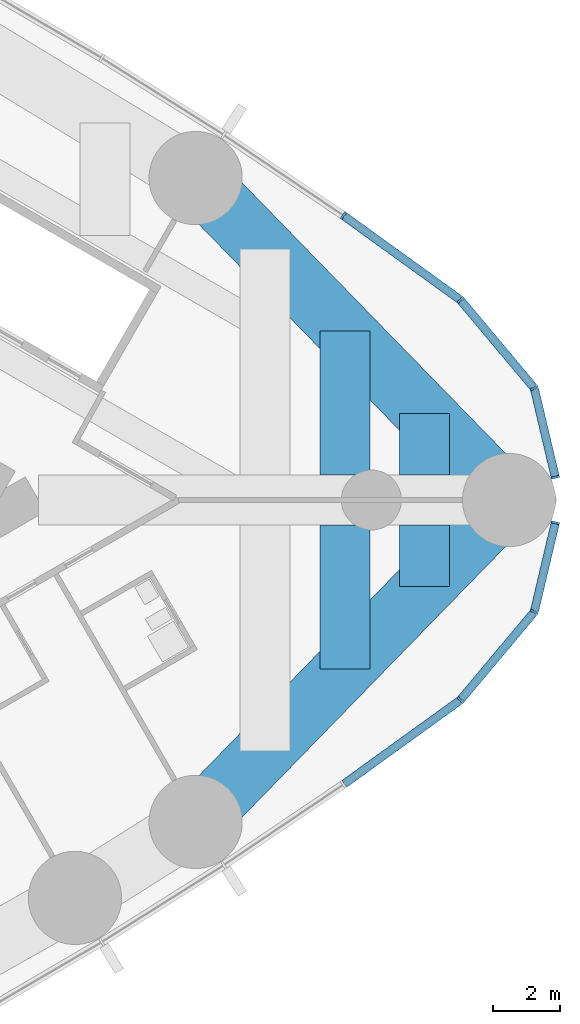
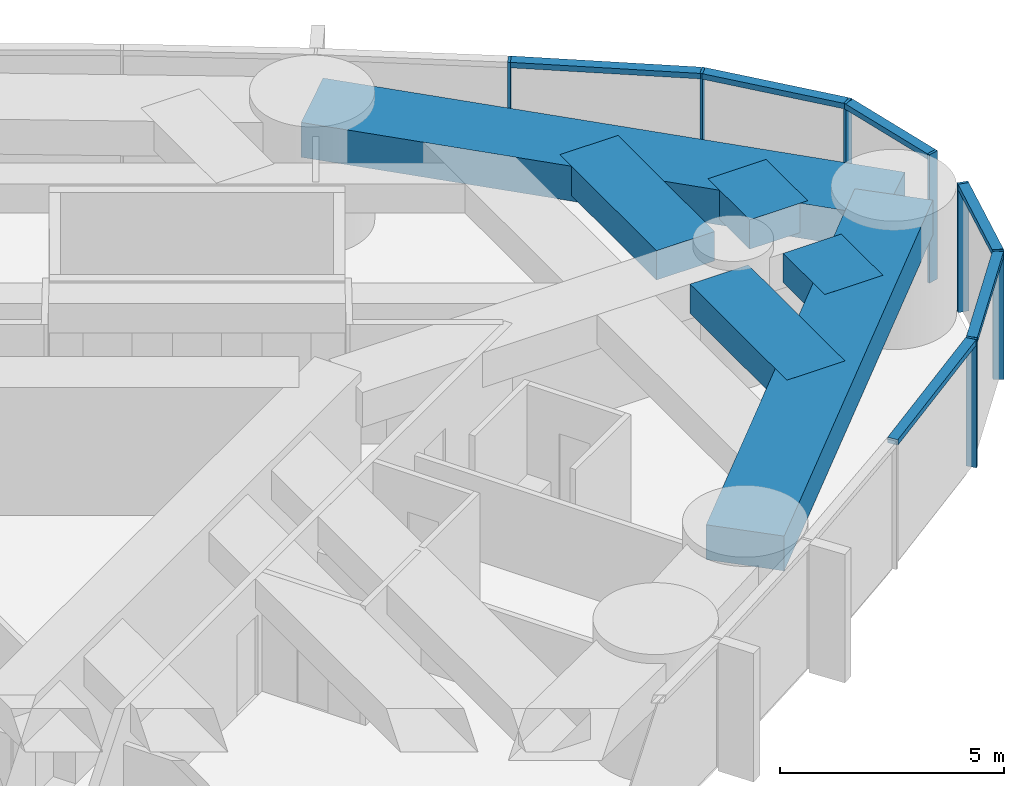
# One storey, part 9 of 19: 13 members, 6 beams, 2 elements without a shape of their own.
"""IFC4 building model written with IfcOpenShell, lengths in metres."""

from ifc_helpers import new_model, si_unit, direction, frame, origin, origin_2d, place, context, subcontext, project, spatial, rectangle, extrude, material, material_profile, profile_set, type_object, element, aggregate, save


model = new_model("IFC4")

# Units and contexts
model_context = context("Model", 3, precision=1e-05, world=origin(), true_north=direction((0.0, 1.0)))
body_context = subcontext(model_context, "Body", "Model", "MODEL_VIEW")
ifc_project = project(units=[si_unit("LENGTHUNIT", "METRE"), si_unit("AREAUNIT", "SQUARE_METRE"), si_unit("VOLUMEUNIT", "CUBIC_METRE"), si_unit("PLANEANGLEUNIT", "RADIAN"), si_unit("MASSUNIT", "GRAM", prefix="KILO")], contexts=[model_context])

# Site, building, storey
site_placement = place(None, origin())
site = spatial("IfcSite", under=ifc_project, at=site_placement, CompositionType="ELEMENT")
building_placement = place(site_placement, origin())
building = spatial("IfcBuilding", under=site, at=building_placement, Name="Lancet Gate Hotel", CompositionType="ELEMENT")
storey_placement = place(building_placement, frame((0.0, 0.0, 170.300048828125)))
storey = spatial("IfcBuildingStorey", under=building, at=storey_placement, Name="L45", CompositionType="ELEMENT", Elevation=170.300048828125)

# Curtain wall, members
ifc_material_1 = material(Name="Aluminium curtain wall", Category="aluminium")
curtain_wall_type = type_object("IfcCurtainWallType", Name="Tower unitised curtain wall", PredefinedType="USERDEFINED", material=ifc_material_1)
curtain_wall_1_placement = place(storey_placement, origin())
curtain_wall_1 = element("IfcCurtainWall", 1, at=curtain_wall_1_placement, inside=storey, type_object=curtain_wall_type, Name="T2 L45 curtain wall 2", ObjectType="UNITISED CURTAIN WALL", PredefinedType="USERDEFINED")
ifc_material_2 = material(Name="Aluminium mullion", Category="aluminium")
ifc_material_profile_1 = material_profile(ifc_material_2, rectangle(XDim=0.06494140625, YDim=0.25, at=origin_2d()), Name="MULLION 65x250")
ifc_profile_set_1 = profile_set([ifc_material_profile_1], Name="Aluminium mullion")
member_type_1 = type_object("IfcMemberType", Name="Aluminium mullion 65x250", PredefinedType="MULLION", material=ifc_profile_set_1)
member_1_placement = place(storey_placement, frame((64.174560546875, -6.01123046875, 0.0), z_axis=(0.0, 0.0, 1.0), x_axis=(0.741693452951, 0.670739011725, 0.0)))
member_1 = element("IfcMember", 2, at=member_1_placement, type_object=member_type_1, Name="T2 L45 curtain wall 2 mullion 10", PredefinedType="MULLION", context=body_context, shape_type="SweptSolid", body=[
    extrude(rectangle(XDim=0.06494140625, YDim=0.25, at=origin_2d()), origin(), (0.0, 0.0, 1.0), 3.5),
])
member_2_placement = place(storey_placement, frame((66.3935546875, -3.362548828125, 0.0), z_axis=(0.0, 0.0, 1.0), x_axis=(0.472146326362, 0.881520190638, 0.0)))
member_2 = element("IfcMember", 3, at=member_2_placement, type_object=member_type_1, Name="T2 L45 curtain wall 2 mullion 11", PredefinedType="MULLION", context=body_context, shape_type="SweptSolid", body=[
    extrude(rectangle(XDim=0.06494140625, YDim=0.25, at=origin_2d()), origin(), (0.0, 0.0, 1.0), 3.5),
])
member_3_placement = place(storey_placement, frame((67.027587890625, -0.684326171875, 0.0), z_axis=(0.0, 0.0, 1.0), x_axis=(0.230366568544, 0.973103922558, 0.0)))
member_3 = element("IfcMember", 4, at=member_3_placement, type_object=member_type_1, Name="T2 L45 curtain wall 2 mullion 12", PredefinedType="MULLION", context=body_context, shape_type="SweptSolid", body=[
    extrude(rectangle(XDim=0.06494140625, YDim=0.25, at=origin_2d()), origin(), (0.0, 0.0, 1.0), 3.5),
])

curtain_wall_2_placement = place(storey_placement, origin())
curtain_wall_2 = element("IfcCurtainWall", 5, at=curtain_wall_2_placement, inside=storey, type_object=curtain_wall_type, Name="T2 L45 curtain wall 3", ObjectType="UNITISED CURTAIN WALL", PredefinedType="USERDEFINED")
member_4_placement = place(storey_placement, frame((67.027587890625, 0.684326171875, 0.0), z_axis=(0.0, 0.0, 1.0), x_axis=(-0.230366568544, 0.973103922558, 0.0)))
member_4 = element("IfcMember", 6, at=member_4_placement, type_object=member_type_1, Name="T2 L45 curtain wall 3 mullion 1", PredefinedType="MULLION", context=body_context, shape_type="SweptSolid", body=[
    extrude(rectangle(XDim=0.06494140625, YDim=0.25, at=origin_2d()), origin(), (0.0, 0.0, 1.0), 3.5),
])
member_5_placement = place(storey_placement, frame((66.3935546875, 3.362548828125, 0.0), z_axis=(0.0, 0.0, 1.0), x_axis=(-0.472146326362, 0.881520190638, 0.0)))
member_5 = element("IfcMember", 7, at=member_5_placement, type_object=member_type_1, Name="T2 L45 curtain wall 3 mullion 2", PredefinedType="MULLION", context=body_context, shape_type="SweptSolid", body=[
    extrude(rectangle(XDim=0.06494140625, YDim=0.25, at=origin_2d()), origin(), (0.0, 0.0, 1.0), 3.5),
])
member_6_placement = place(storey_placement, frame((64.174560546875, 6.01123046875, 0.0), z_axis=(0.0, 0.0, 1.0), x_axis=(-0.741693452951, 0.670739011725, 0.0)))
member_6 = element("IfcMember", 8, at=member_6_placement, type_object=member_type_1, Name="T2 L45 curtain wall 3 mullion 3", PredefinedType="MULLION", context=body_context, shape_type="SweptSolid", body=[
    extrude(rectangle(XDim=0.06494140625, YDim=0.25, at=origin_2d()), origin(), (0.0, 0.0, 1.0), 3.5),
])
member_7_placement = place(storey_placement, frame((60.66015625, 8.547607421875, 0.0), z_axis=(0.0, 0.0, 1.0), x_axis=(-0.820068208435, 0.572265789222, 0.0)))
member_7 = element("IfcMember", 9, at=member_7_placement, type_object=member_type_1, Name="T2 L45 curtain wall 3 mullion 4", PredefinedType="MULLION", context=body_context, shape_type="SweptSolid", body=[
    extrude(rectangle(XDim=0.06494140625, YDim=0.25, at=origin_2d()), origin(), (0.0, 0.0, 1.0), 3.5),
])

# Member
ifc_material_3 = material(Name="Aluminium transom", Category="aluminium")
ifc_material_profile_2 = material_profile(ifc_material_3, rectangle(XDim=0.25, YDim=0.14990234375, at=origin_2d()), Name="TRANSOM 250x150")
ifc_profile_set_2 = profile_set([ifc_material_profile_2], Name="Aluminium transom")
member_type_2 = type_object("IfcMemberType", Name="Aluminium transom 250x150", PredefinedType="USERDEFINED", material=ifc_profile_set_2)
member_8_placement = place(storey_placement, frame((60.6865234375, -8.528564453125, 3.425048828125), z_axis=(0.810879747578, 0.585212811691, 0.0), x_axis=(-0.585212811691, 0.810879747578, 0.0)))
member_8 = element("IfcMember", 10, at=member_8_placement, type_object=member_type_2, Name="T2 L45 curtain wall 2 transom 9", ObjectType="TRANSOM", PredefinedType="USERDEFINED", context=body_context, shape_type="SweptSolid", body=[
    extrude(rectangle(XDim=0.25, YDim=0.14990234375, at=origin_2d()), origin(), (0.0, 0.0, 1.0), 4.26904296875),
])

member_9_placement = place(storey_placement, frame((64.1953125, -5.986328125, 3.425048828125), z_axis=(0.642229010215, 0.766512816878, 0.0), x_axis=(-0.766512816878, 0.642229010215, 0.0)))
member_9 = element("IfcMember", 11, at=member_9_placement, type_object=member_type_2, Name="T2 L45 curtain wall 2 transom 10", ObjectType="TRANSOM", PredefinedType="USERDEFINED", context=body_context, shape_type="SweptSolid", body=[
    extrude(rectangle(XDim=0.25, YDim=0.14990234375, at=origin_2d()), origin(), (0.0, 0.0, 1.0), 3.390625),
])

member_10_placement = place(storey_placement, frame((66.401123046875, -3.3310546875, 3.425048828125), z_axis=(0.230310174804, 0.973117271135, 0.0), x_axis=(-0.973117271135, 0.230310174804, 0.0)))
member_10 = element("IfcMember", 12, at=member_10_placement, type_object=member_type_2, Name="T2 L45 curtain wall 2 transom 11", ObjectType="TRANSOM", PredefinedType="USERDEFINED", context=body_context, shape_type="SweptSolid", body=[
    extrude(rectangle(XDim=0.25, YDim=0.14990234375, at=origin_2d()), origin(), (0.0, 0.0, 1.0), 2.687255859375),
])

aggregate(curtain_wall_1, [member_1, member_2, member_3, member_8, member_9, member_10])

member_11_placement = place(storey_placement, frame((67.02001953125, 0.716064453125, 3.425048828125), z_axis=(-0.230310174804, 0.973117271135, 0.0), x_axis=(-0.973117271135, -0.230310174804, 0.0)))
member_11 = element("IfcMember", 13, at=member_11_placement, type_object=member_type_2, Name="T2 L45 curtain wall 3 transom 1", ObjectType="TRANSOM", PredefinedType="USERDEFINED", context=body_context, shape_type="SweptSolid", body=[
    extrude(rectangle(XDim=0.25, YDim=0.14990234375, at=origin_2d()), origin(), (0.0, 0.0, 1.0), 2.687255859375),
])

member_12_placement = place(storey_placement, frame((66.372802734375, 3.387451171875, 3.425048828125), z_axis=(-0.642229010215, 0.766512816878, 0.0), x_axis=(-0.766512816878, -0.642229010215, 0.0)))
member_12 = element("IfcMember", 14, at=member_12_placement, type_object=member_type_2, Name="T2 L45 curtain wall 3 transom 2", ObjectType="TRANSOM", PredefinedType="USERDEFINED", context=body_context, shape_type="SweptSolid", body=[
    extrude(rectangle(XDim=0.25, YDim=0.14990234375, at=origin_2d()), origin(), (0.0, 0.0, 1.0), 3.390625),
])

member_13_placement = place(storey_placement, frame((64.148193359375, 6.0302734375, 3.425048828125), z_axis=(-0.810879747578, 0.585212811691, 0.0), x_axis=(-0.585212811691, -0.810879747578, 0.0)))
member_13 = element("IfcMember", 15, at=member_13_placement, type_object=member_type_2, Name="T2 L45 curtain wall 3 transom 3", ObjectType="TRANSOM", PredefinedType="USERDEFINED", context=body_context, shape_type="SweptSolid", body=[
    extrude(rectangle(XDim=0.25, YDim=0.14990234375, at=origin_2d()), origin(), (0.0, 0.0, 1.0), 4.26904296875),
])

aggregate(curtain_wall_2, [member_4, member_5, member_6, member_7, member_11, member_12, member_13])

# Beams
ifc_material_4 = material(Name="Concrete C50/60", Category="concrete")
ifc_material_profile_3 = material_profile(ifc_material_4, rectangle(XDim=1.800048828125, YDim=0.949951171875, at=origin_2d()), Name="RC 1800x950")
ifc_profile_set_3 = profile_set([ifc_material_profile_3], Name="Concrete C50/60")
beam_type_1 = type_object("IfcBeamType", Name="Edge beam RC 1800x950", PredefinedType="SPANDREL", material=ifc_profile_set_3)
for number, where, z_axis, x_axis, name in (
    (16, (56.220947265625, -9.67236328125, 2.77490234375), (0.697649905443, 0.716438838587, 0.0), (-0.716438838587, 0.697649905443, 0.0), "T2 edge beam EB1 L45"),
    (17, (65.6396484375, 0.0, 2.77490234375), (-0.697649905443, 0.716438838587, 0.0), (-0.716438838587, -0.697649905443, 0.0), "T2 edge beam EB1 L45"),
):
    element("IfcBeam", number, at=place(storey_placement, frame(where, z_axis=z_axis, x_axis=x_axis)), inside=storey, type_object=beam_type_1, Name=name, PredefinedType="SPANDREL", context=body_context, shape_type="SweptSolid", body=[
        extrude(rectangle(XDim=1.800048828125, YDim=0.949951171875, at=origin_2d()), origin(), (0.0, 0.0, 1.0), 13.500732421875),
    ])
ifc_material_5 = material(Name="Concrete C50/60", Category="concrete")
ifc_material_profile_4 = material_profile(ifc_material_5, rectangle(XDim=1.5, YDim=0.800048828125, at=origin_2d()), Name="RC 1500x800")
ifc_profile_set_4 = profile_set([ifc_material_profile_4], Name="Concrete C50/60")
beam_type_2 = type_object("IfcBeamType", Name="Floor beam RC 1500x800", PredefinedType="BEAM", material=ifc_profile_set_4)
for number, where, z_axis, x_axis, name in (
    (18, (60.7021484375, -5.0703125, 2.849853515625), (0.0, 1.0, 0.0), (-1.0, 0.0, 0.0), "T2 floor beam F14S L45"),
    (19, (60.7021484375, 0.75, 2.849853515625), (0.0, 1.0, 0.0), (-1.0, 0.0, 0.0), "T2 floor beam F15N L45"),
):
    element("IfcBeam", number, at=place(storey_placement, frame(where, z_axis=z_axis, x_axis=x_axis)), inside=storey, type_object=beam_type_2, Name=name, PredefinedType="BEAM", context=body_context, shape_type="SweptSolid", body=[
        extrude(rectangle(XDim=1.5, YDim=0.800048828125, at=origin_2d()), origin(), (0.0, 0.0, 1.0), 4.3203125),
    ])
for number, where, z_axis, x_axis, name in (
    (20, (63.102294921875, -2.605712890625, 2.849853515625), (0.0, 1.0, 0.0), (-1.0, 0.0, 0.0), "T2 floor beam F16S L45"),
    (21, (63.102294921875, 0.75, 2.849853515625), (0.0, 1.0, 0.0), (-1.0, 0.0, 0.0), "T2 floor beam F17N L45"),
):
    element("IfcBeam", number, at=place(storey_placement, frame(where, z_axis=z_axis, x_axis=x_axis)), inside=storey, type_object=beam_type_2, Name=name, PredefinedType="BEAM", context=body_context, shape_type="SweptSolid", body=[
        extrude(rectangle(XDim=1.5, YDim=0.800048828125, at=origin_2d()), origin(), (0.0, 0.0, 1.0), 1.855712890625),
    ])

save(model, "model.ifc")
